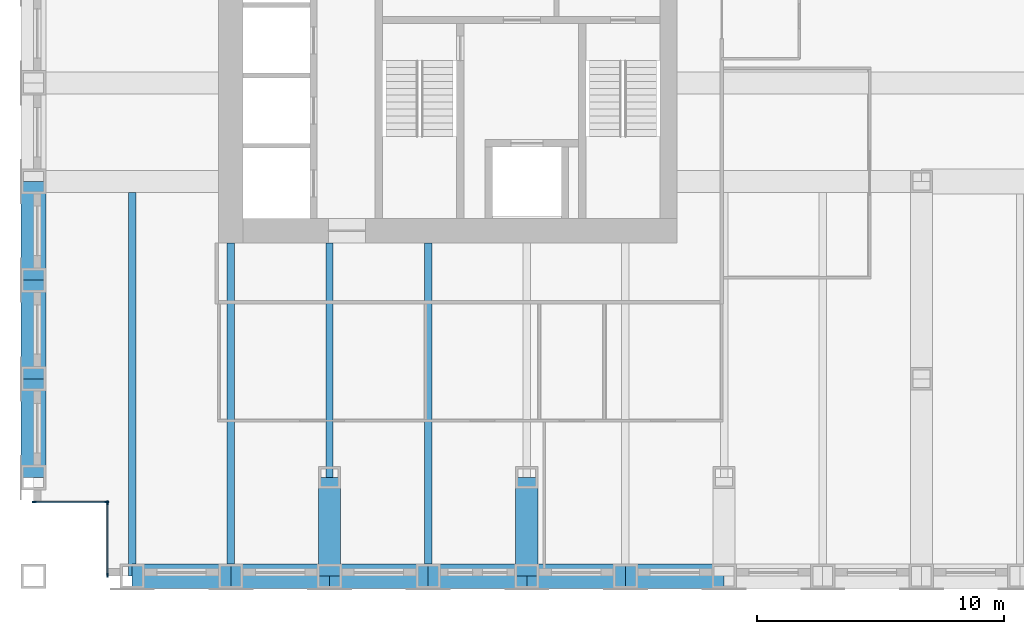
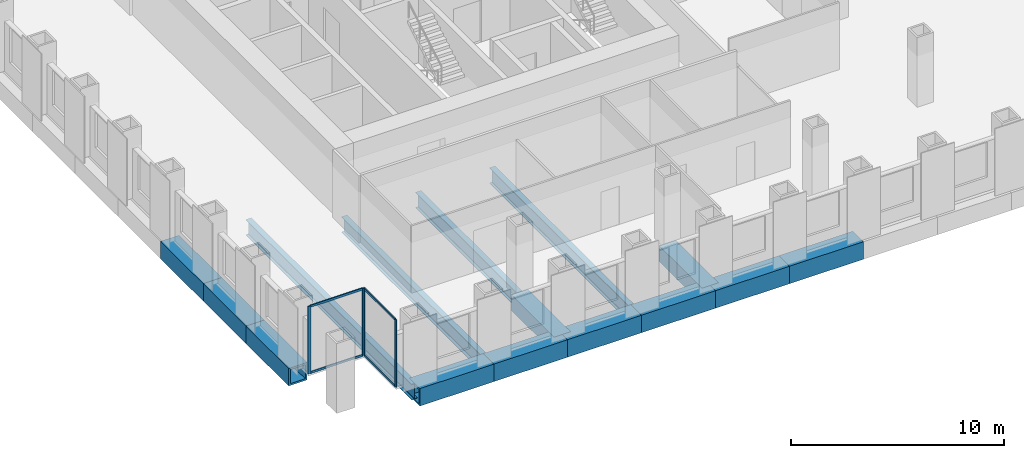
# One storey, part 2 of 15: 15 beams, 8 members, 2 elements without a shape of their own.
"""IFC4 building model written with IfcOpenShell, lengths in metres."""

from ifc_helpers import new_model, si_unit, direction, frame, origin, origin_2d, place, context, subcontext, project, spatial, rectangle, hollow_rectangle, i_section, extrude, material, material_profile, profile_set, type_object, element, aggregate, save


model = new_model("IFC4")

# Units and contexts
model_context = context("Model", 3, precision=1e-05, world=origin(), true_north=direction((0.0, 1.0)))
body_context = subcontext(model_context, "Body", "Model", "MODEL_VIEW")
ifc_project = project(units=[si_unit("LENGTHUNIT", "METRE"), si_unit("AREAUNIT", "SQUARE_METRE"), si_unit("VOLUMEUNIT", "CUBIC_METRE"), si_unit("PLANEANGLEUNIT", "RADIAN"), si_unit("MASSUNIT", "GRAM", prefix="KILO")], contexts=[model_context])

# Site, building, storey
site_placement = place(None, origin())
site = spatial("IfcSite", under=ifc_project, at=site_placement, CompositionType="ELEMENT")
building_placement = place(site_placement, origin())
building = spatial("IfcBuilding", under=site, at=building_placement, Name="Rimbunsela Tower", CompositionType="ELEMENT")
storey_placement = place(building_placement, frame((0.0, 0.0, 117.39990234375)))
storey = spatial("IfcBuildingStorey", under=building, at=storey_placement, Name="L28", CompositionType="ELEMENT", Elevation=117.39990234375)

# Beams
ifc_material_1 = material(Name="Steel BJ 55 (fy 410 MPa)", Category="steel")
ifc_material_profile_1 = material_profile(ifc_material_1, hollow_rectangle(XDim=1.0, YDim=1.0, WallThickness=0.10009765625, at=origin_2d()), Name="BOX 1000x1000x100")
ifc_profile_set_1 = profile_set([ifc_material_profile_1], Name="Steel BJ 55 (fy 410 MPa)")
beam_type_1 = type_object("IfcBeamType", Name="Beam BOX 1000x1000x100", PredefinedType="BEAM", material=ifc_profile_set_1)
for number, where, z_axis, x_axis, name in (
    (1, (10.0, 8.0, -0.64990234375), (0.0, 1.0, 0.0), (-1.0, 0.0, 0.0), "Beam B3 L28"),
    (2, (10.0, 12.0, -0.64990234375), (0.0, 1.0, 0.0), (-1.0, 0.0, 0.0), "Beam B3 L28"),
    (3, (10.0, 16.0, -0.64990234375), (0.0, 1.0, 0.0), (-1.0, 0.0, 0.0), "Beam B3 L28"),
    (4, (14.0, 4.0, -0.64990234375), (1.0, 0.0, 0.0), (0.0, 1.0, 0.0), "Beam B3 L28"),
    (5, (18.0, 4.0, -0.64990234375), (1.0, 0.0, 0.0), (0.0, 1.0, 0.0), "Beam B3 L28"),
    (6, (22.0, 4.0, -0.64990234375), (1.0, 0.0, 0.0), (0.0, 1.0, 0.0), "Beam B3 L28"),
    (7, (26.0, 4.0, -0.64990234375), (1.0, 0.0, 0.0), (0.0, 1.0, 0.0), "Beam B3 L28"),
    (8, (30.0, 4.0, -0.64990234375), (1.0, 0.0, 0.0), (0.0, 1.0, 0.0), "Beam B3 L28"),
    (9, (34.0, 4.0, -0.64990234375), (1.0, 0.0, 0.0), (0.0, 1.0, 0.0), "Beam B3 L28"),
):
    element("IfcBeam", number, at=place(storey_placement, frame(where, z_axis=z_axis, x_axis=x_axis)), inside=storey, type_object=beam_type_1, Name=name, PredefinedType="BEAM", context=body_context, shape_type="SweptSolid", body=[
        extrude(hollow_rectangle(XDim=1.0, YDim=1.0, WallThickness=0.10009765625, at=origin_2d()), origin(), (0.0, 0.0, 1.0), 4.0),
    ])
ifc_material_2 = material(Name="Steel BJ 55 (fy 410 MPa)", Category="steel")
ifc_material_profile_2 = material_profile(ifc_material_2, hollow_rectangle(XDim=0.89990234375, YDim=0.89990234375, WallThickness=0.06005859375, at=origin_2d()), Name="BOX 900x900x60")
ifc_profile_set_2 = profile_set([ifc_material_profile_2], Name="Steel BJ 55 (fy 410 MPa)")
beam_type_2 = type_object("IfcBeamType", Name="Beam BOX 900x900x60", PredefinedType="BEAM", material=ifc_profile_set_2)
for number, where, z_axis, x_axis, name in (
    (10, (22.0, 4.0, -0.599853515625), (0.0, 1.0, 0.0), (-1.0, 0.0, 0.0), "Beam B1 L28"),
    (11, (30.0, 4.0, -0.599853515625), (0.0, 1.0, 0.0), (-1.0, 0.0, 0.0), "Beam B1 L28"),
):
    element("IfcBeam", number, at=place(storey_placement, frame(where, z_axis=z_axis, x_axis=x_axis)), inside=storey, type_object=beam_type_2, Name=name, PredefinedType="BEAM", context=body_context, shape_type="SweptSolid", body=[
        extrude(hollow_rectangle(XDim=0.89990234375, YDim=0.89990234375, WallThickness=0.06005859375, at=origin_2d()), origin(), (0.0, 0.0, 1.0), 4.0),
    ])
ifc_material_3 = material(Name="Steel BJ 55 (fy 410 MPa)", Category="steel")
ifc_material_profile_3 = material_profile(ifc_material_3, i_section(OverallWidth=0.300048828125, OverallDepth=0.89990234375, WebThickness=0.01611328125, FlangeThickness=0.028076171875, FilletRadius=0.028076171875, at=origin_2d()), Name="H 900x300x16x28")
ifc_profile_set_3 = profile_set([ifc_material_profile_3], Name="Steel BJ 55 (fy 410 MPa)")
beam_type_3 = type_object("IfcBeamType", Name="Beam H 900x300x16x28", PredefinedType="BEAM", material=ifc_profile_set_3)
beam_1_placement = place(storey_placement, frame((14.0, 4.0, -0.599853515625), z_axis=(0.0, 1.0, 0.0), x_axis=(-1.0, 0.0, 0.0)))
element("IfcBeam", 12, at=beam_1_placement, inside=storey, type_object=beam_type_3, Name="Beam B2 L28", PredefinedType="BEAM", context=body_context, shape_type="SweptSolid", body=[
    extrude(i_section(OverallWidth=0.300048828125, OverallDepth=0.89990234375, WebThickness=0.01611328125, FlangeThickness=0.028076171875, FilletRadius=0.028076171875, at=origin_2d()), origin(), (0.0, 0.0, 1.0), 15.550048828125),
])
beam_2_placement = place(storey_placement, frame((18.0, 4.0, -0.599853515625), z_axis=(0.0, 1.0, 0.0), x_axis=(-1.0, 0.0, 0.0)))
element("IfcBeam", 13, at=beam_2_placement, inside=storey, type_object=beam_type_3, Name="Beam B2 L28", PredefinedType="BEAM", context=body_context, shape_type="SweptSolid", body=[
    extrude(i_section(OverallWidth=0.300048828125, OverallDepth=0.89990234375, WebThickness=0.01611328125, FlangeThickness=0.028076171875, FilletRadius=0.028076171875, at=origin_2d()), origin(), (0.0, 0.0, 1.0), 13.5),
])
beam_3_placement = place(storey_placement, frame((22.0, 8.0, -0.599853515625), z_axis=(0.0, 1.0, 0.0), x_axis=(-1.0, 0.0, 0.0)))
element("IfcBeam", 14, at=beam_3_placement, inside=storey, type_object=beam_type_3, Name="Beam B2 L28", PredefinedType="BEAM", context=body_context, shape_type="SweptSolid", body=[
    extrude(i_section(OverallWidth=0.300048828125, OverallDepth=0.89990234375, WebThickness=0.01611328125, FlangeThickness=0.028076171875, FilletRadius=0.028076171875, at=origin_2d()), origin(), (0.0, 0.0, 1.0), 9.5),
])
beam_4_placement = place(storey_placement, frame((26.0, 4.0, -0.599853515625), z_axis=(0.0, 1.0, 0.0), x_axis=(-1.0, 0.0, 0.0)))
element("IfcBeam", 15, at=beam_4_placement, inside=storey, type_object=beam_type_3, Name="Beam B2 L28", PredefinedType="BEAM", context=body_context, shape_type="SweptSolid", body=[
    extrude(i_section(OverallWidth=0.300048828125, OverallDepth=0.89990234375, WebThickness=0.01611328125, FlangeThickness=0.028076171875, FilletRadius=0.028076171875, at=origin_2d()), origin(), (0.0, 0.0, 1.0), 13.5),
])

# Curtain wall, members
ifc_material_4 = material(Name="Aluminium curtain wall", Category="aluminium")
curtain_wall_type = type_object("IfcCurtainWallType", Name="Corner glazing", PredefinedType="USERDEFINED", material=ifc_material_4)
curtain_wall_1_placement = place(storey_placement, origin())
curtain_wall_1 = element("IfcCurtainWall", 16, at=curtain_wall_1_placement, inside=storey, type_object=curtain_wall_type, Name="Corner glazing L28", ObjectType="CORNER GLAZING", PredefinedType="USERDEFINED")
ifc_material_5 = material(Name="Aluminium mullion", Category="aluminium")
ifc_material_profile_4 = material_profile(ifc_material_5, rectangle(XDim=0.06005859375, YDim=0.159912109375, at=origin_2d()), Name="Mullion 60x160")
ifc_profile_set_4 = profile_set([ifc_material_profile_4], Name="Aluminium mullion")
member_type_1 = type_object("IfcMemberType", Name="Curtain wall mullion 60x160", PredefinedType="MULLION", material=ifc_profile_set_4)
member_1_placement = place(storey_placement, frame((10.030029296875, 7.0, 0.0), z_axis=(0.0, 0.0, 1.0), x_axis=(0.0, 1.0, 0.0)))
member_1 = element("IfcMember", 17, at=member_1_placement, type_object=member_type_1, Name="CW5 mullion 1", PredefinedType="MULLION", context=body_context, shape_type="SweptSolid", body=[
    extrude(rectangle(XDim=0.06005859375, YDim=0.159912109375, at=origin_2d()), origin(), (0.0, 0.0, 1.0), 3.85009765625),
])
member_2_placement = place(storey_placement, frame((12.969970703125, 7.0, 0.0), z_axis=(0.0, 0.0, 1.0), x_axis=(0.0, 1.0, 0.0)))
member_2 = element("IfcMember", 18, at=member_2_placement, type_object=member_type_1, Name="CW5 mullion 2", PredefinedType="MULLION", context=body_context, shape_type="SweptSolid", body=[
    extrude(rectangle(XDim=0.06005859375, YDim=0.159912109375, at=origin_2d()), origin(), (0.0, 0.0, 1.0), 3.85009765625),
])

curtain_wall_2_placement = place(storey_placement, origin())
curtain_wall_2 = element("IfcCurtainWall", 19, at=curtain_wall_2_placement, inside=storey, type_object=curtain_wall_type, Name="Corner glazing L28", ObjectType="CORNER GLAZING", PredefinedType="USERDEFINED")
member_3_placement = place(storey_placement, frame((13.0, 6.969970703125, 0.0), z_axis=(0.0, 0.0, 1.0), x_axis=(1.0, 0.0, 0.0)))
member_3 = element("IfcMember", 20, at=member_3_placement, type_object=member_type_1, Name="CW5 mullion 1", PredefinedType="MULLION", context=body_context, shape_type="SweptSolid", body=[
    extrude(rectangle(XDim=0.06005859375, YDim=0.159912109375, at=origin_2d()), origin(), (0.0, 0.0, 1.0), 3.85009765625),
])
member_4_placement = place(storey_placement, frame((13.0, 4.030029296875, 0.0), z_axis=(0.0, 0.0, 1.0), x_axis=(1.0, 0.0, 0.0)))
member_4 = element("IfcMember", 21, at=member_4_placement, type_object=member_type_1, Name="CW5 mullion 2", PredefinedType="MULLION", context=body_context, shape_type="SweptSolid", body=[
    extrude(rectangle(XDim=0.06005859375, YDim=0.159912109375, at=origin_2d()), origin(), (0.0, 0.0, 1.0), 3.85009765625),
])

# Member
ifc_material_6 = material(Name="Aluminium transom", Category="aluminium")
ifc_material_profile_5 = material_profile(ifc_material_6, rectangle(XDim=0.06005859375, YDim=0.1201171875, at=origin_2d()), Name="Transom 60x120")
ifc_profile_set_5 = profile_set([ifc_material_profile_5], Name="Aluminium transom")
member_type_2 = type_object("IfcMemberType", Name="Curtain wall transom 60x120", PredefinedType="USERDEFINED", material=ifc_profile_set_5)
member_5_placement = place(storey_placement, frame((10.06005859375, 7.0, 0.030029296875), z_axis=(1.0, 0.0, 0.0), x_axis=(0.0, 1.0, 0.0)))
member_5 = element("IfcMember", 22, at=member_5_placement, type_object=member_type_2, Name="CW5 transom 1.1", ObjectType="TRANSOM", PredefinedType="USERDEFINED", context=body_context, shape_type="SweptSolid", body=[
    extrude(rectangle(XDim=0.06005859375, YDim=0.1201171875, at=origin_2d()), origin(), (0.0, 0.0, 1.0), 2.8798828125),
])

member_6_placement = place(storey_placement, frame((10.06005859375, 7.0, 3.820068359375), z_axis=(1.0, 0.0, 0.0), x_axis=(0.0, 1.0, 0.0)))
member_6 = element("IfcMember", 23, at=member_6_placement, type_object=member_type_2, Name="CW5 transom 1.2", ObjectType="TRANSOM", PredefinedType="USERDEFINED", context=body_context, shape_type="SweptSolid", body=[
    extrude(rectangle(XDim=0.06005859375, YDim=0.1201171875, at=origin_2d()), origin(), (0.0, 0.0, 1.0), 2.8798828125),
])

aggregate(curtain_wall_1, [member_1, member_2, member_5, member_6])

member_7_placement = place(storey_placement, frame((13.0, 6.93994140625, 0.030029296875), z_axis=(0.0, -1.0, 0.0), x_axis=(1.0, 0.0, 0.0)))
member_7 = element("IfcMember", 24, at=member_7_placement, type_object=member_type_2, Name="CW5 transom 1.1", ObjectType="TRANSOM", PredefinedType="USERDEFINED", context=body_context, shape_type="SweptSolid", body=[
    extrude(rectangle(XDim=0.06005859375, YDim=0.1201171875, at=origin_2d()), origin(), (0.0, 0.0, 1.0), 2.8798828125),
])

member_8_placement = place(storey_placement, frame((13.0, 6.93994140625, 3.820068359375), z_axis=(0.0, -1.0, 0.0), x_axis=(1.0, 0.0, 0.0)))
member_8 = element("IfcMember", 25, at=member_8_placement, type_object=member_type_2, Name="CW5 transom 1.2", ObjectType="TRANSOM", PredefinedType="USERDEFINED", context=body_context, shape_type="SweptSolid", body=[
    extrude(rectangle(XDim=0.06005859375, YDim=0.1201171875, at=origin_2d()), origin(), (0.0, 0.0, 1.0), 2.8798828125),
])

aggregate(curtain_wall_2, [member_3, member_4, member_7, member_8])

save(model, "model.ifc")
